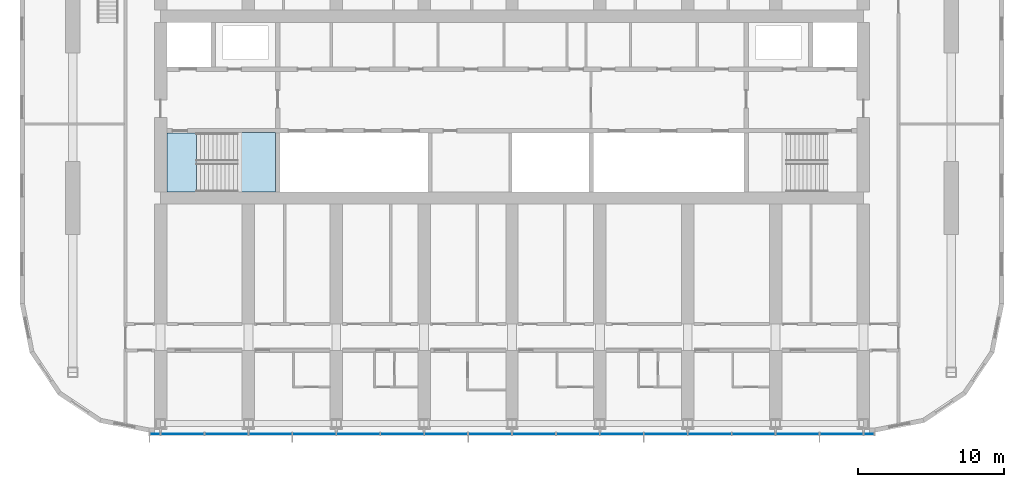
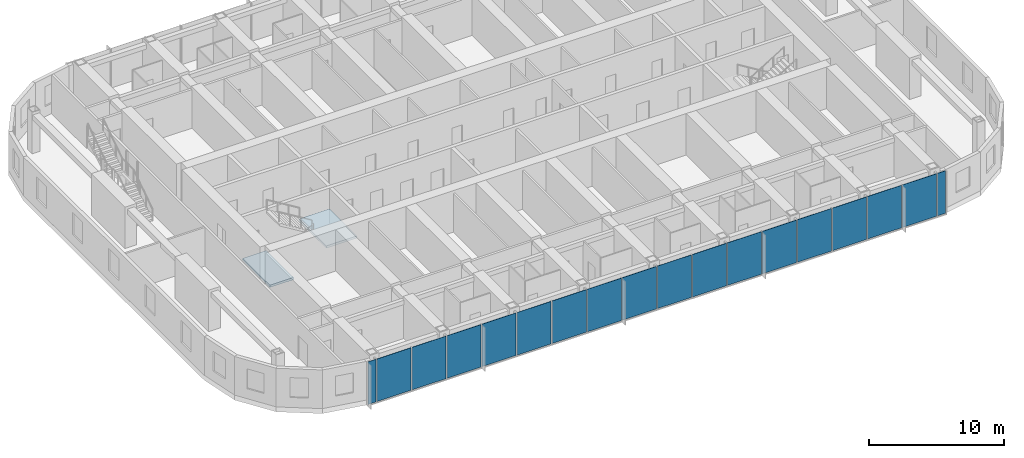
# One storey, part 11 of 29: 18 plates, 2 slabs, 2 elements without a shape of their own.
"""IFC4 building model written with IfcOpenShell, lengths in metres."""

from ifc_helpers import new_model, si_unit, direction, frame, origin, origin_2d, place, context, subcontext, project, spatial, polyline, rectangle, outline, extrude, material, layer, layer_set, type_object, element, aggregate, save


model = new_model("IFC4")

# Units and contexts
model_context = context("Model", 3, precision=1e-05, world=origin(), true_north=direction((0.0, 1.0)))
body_context = subcontext(model_context, "Body", "Model", "MODEL_VIEW")
ifc_project = project(units=[si_unit("LENGTHUNIT", "METRE"), si_unit("AREAUNIT", "SQUARE_METRE"), si_unit("VOLUMEUNIT", "CUBIC_METRE"), si_unit("PLANEANGLEUNIT", "RADIAN"), si_unit("MASSUNIT", "GRAM", prefix="KILO")], contexts=[model_context])

# Site, building, storey
site_placement = place(None, origin())
site = spatial("IfcSite", under=ifc_project, at=site_placement, CompositionType="ELEMENT")
building_placement = place(site_placement, origin())
building = spatial("IfcBuilding", under=site, at=building_placement, Name="Orbita Commons", CompositionType="ELEMENT")
storey_placement = place(building_placement, frame((0.0, 0.0, 148.60009765625)))
storey = spatial("IfcBuildingStorey", under=building, at=storey_placement, Name="L36", CompositionType="ELEMENT", Elevation=148.60009765625)

# Curtain wall, plates
ifc_material_1 = material(Name="Anodised aluminium frame, pale silver", Category="aluminium")
curtain_wall_type = type_object("IfcCurtainWallType", Name="Unitised curtain wall CW-U, full-height vision", PredefinedType="NOTDEFINED", material=ifc_material_1)
curtain_wall_placement = place(storey_placement, origin())
curtain_wall = element("IfcCurtainWall", 1, at=curtain_wall_placement, inside=storey, type_object=curtain_wall_type, Name="Curtain wall south L36", PredefinedType="NOTDEFINED")
ifc_material_2 = material(Name="Clear double glazing", Category="glass")
ifc_layer_1 = layer(ifc_material_2, 0.031982421875)
ifc_layer_set_1 = layer_set([ifc_layer_1], Name="Clear double glazing")
plate_type = type_object("IfcPlateType", Name="Full-height vision panel, clear glazing 32", PredefinedType="CURTAIN_PANEL", material=ifc_layer_set_1)
plate_1_placement = place(storey_placement, frame((17.6201171875, 9.68994140625, -0.35009765625), z_axis=(0.0, 0.0, 1.0), x_axis=(1.0, 0.0, 0.0)))
plate_1 = element("IfcPlate", 2, at=plate_1_placement, type_object=plate_type, Name="Panel 1.1 CW-L36-S", PredefinedType="CURTAIN_PANEL", context=body_context, shape_type="SweptSolid", body=[
    extrude(rectangle(XDim=0.679931640625, YDim=0.031982421875, at=origin_2d()), origin(), (0.0, 0.0, 1.0), 3.85009765625),
])
plate_2_placement = place(storey_placement, frame((19.5, 9.68994140625, -0.35009765625), z_axis=(0.0, 0.0, 1.0), x_axis=(1.0, 0.0, 0.0)))
plate_2 = element("IfcPlate", 3, at=plate_2_placement, type_object=plate_type, Name="Panel 2.1 CW-L36-S", PredefinedType="CURTAIN_PANEL", context=body_context, shape_type="SweptSolid", body=[
    extrude(rectangle(XDim=2.919921875, YDim=0.031982421875, at=origin_2d()), origin(), (0.0, 0.0, 1.0), 3.85009765625),
])
plate_3_placement = place(storey_placement, frame((22.5, 9.68994140625, -0.35009765625), z_axis=(0.0, 0.0, 1.0), x_axis=(1.0, 0.0, 0.0)))
plate_3 = element("IfcPlate", 4, at=plate_3_placement, type_object=plate_type, Name="Panel 3.1 CW-L36-S", PredefinedType="CURTAIN_PANEL", context=body_context, shape_type="SweptSolid", body=[
    extrude(rectangle(XDim=2.919921875, YDim=0.031982421875, at=origin_2d()), origin(), (0.0, 0.0, 1.0), 3.85009765625),
])
plate_4_placement = place(storey_placement, frame((25.5, 9.68994140625, -0.35009765625), z_axis=(0.0, 0.0, 1.0), x_axis=(1.0, 0.0, 0.0)))
plate_4 = element("IfcPlate", 5, at=plate_4_placement, type_object=plate_type, Name="Panel 4.1 CW-L36-S", PredefinedType="CURTAIN_PANEL", context=body_context, shape_type="SweptSolid", body=[
    extrude(rectangle(XDim=2.919921875, YDim=0.031982421875, at=origin_2d()), origin(), (0.0, 0.0, 1.0), 3.85009765625),
])
plate_5_placement = place(storey_placement, frame((28.5, 9.68994140625, -0.35009765625), z_axis=(0.0, 0.0, 1.0), x_axis=(1.0, 0.0, 0.0)))
plate_5 = element("IfcPlate", 6, at=plate_5_placement, type_object=plate_type, Name="Panel 5.1 CW-L36-S", PredefinedType="CURTAIN_PANEL", context=body_context, shape_type="SweptSolid", body=[
    extrude(rectangle(XDim=2.919921875, YDim=0.031982421875, at=origin_2d()), origin(), (0.0, 0.0, 1.0), 3.85009765625),
])
plate_6_placement = place(storey_placement, frame((31.5, 9.68994140625, -0.35009765625), z_axis=(0.0, 0.0, 1.0), x_axis=(1.0, 0.0, 0.0)))
plate_6 = element("IfcPlate", 7, at=plate_6_placement, type_object=plate_type, Name="Panel 6.1 CW-L36-S", PredefinedType="CURTAIN_PANEL", context=body_context, shape_type="SweptSolid", body=[
    extrude(rectangle(XDim=2.919921875, YDim=0.031982421875, at=origin_2d()), origin(), (0.0, 0.0, 1.0), 3.85009765625),
])
plate_7_placement = place(storey_placement, frame((34.5, 9.68994140625, -0.35009765625), z_axis=(0.0, 0.0, 1.0), x_axis=(1.0, 0.0, 0.0)))
plate_7 = element("IfcPlate", 8, at=plate_7_placement, type_object=plate_type, Name="Panel 7.1 CW-L36-S", PredefinedType="CURTAIN_PANEL", context=body_context, shape_type="SweptSolid", body=[
    extrude(rectangle(XDim=2.919921875, YDim=0.031982421875, at=origin_2d()), origin(), (0.0, 0.0, 1.0), 3.85009765625),
])
plate_8_placement = place(storey_placement, frame((37.5, 9.68994140625, -0.35009765625), z_axis=(0.0, 0.0, 1.0), x_axis=(1.0, 0.0, 0.0)))
plate_8 = element("IfcPlate", 9, at=plate_8_placement, type_object=plate_type, Name="Panel 8.1 CW-L36-S", PredefinedType="CURTAIN_PANEL", context=body_context, shape_type="SweptSolid", body=[
    extrude(rectangle(XDim=2.919921875, YDim=0.031982421875, at=origin_2d()), origin(), (0.0, 0.0, 1.0), 3.85009765625),
])
plate_9_placement = place(storey_placement, frame((40.5, 9.68994140625, -0.35009765625), z_axis=(0.0, 0.0, 1.0), x_axis=(1.0, 0.0, 0.0)))
plate_9 = element("IfcPlate", 10, at=plate_9_placement, type_object=plate_type, Name="Panel 9.1 CW-L36-S", PredefinedType="CURTAIN_PANEL", context=body_context, shape_type="SweptSolid", body=[
    extrude(rectangle(XDim=2.919921875, YDim=0.031982421875, at=origin_2d()), origin(), (0.0, 0.0, 1.0), 3.85009765625),
])
plate_10_placement = place(storey_placement, frame((43.5, 9.68994140625, -0.35009765625), z_axis=(0.0, 0.0, 1.0), x_axis=(1.0, 0.0, 0.0)))
plate_10 = element("IfcPlate", 11, at=plate_10_placement, type_object=plate_type, Name="Panel 10.1 CW-L36-S", PredefinedType="CURTAIN_PANEL", context=body_context, shape_type="SweptSolid", body=[
    extrude(rectangle(XDim=2.919921875, YDim=0.031982421875, at=origin_2d()), origin(), (0.0, 0.0, 1.0), 3.85009765625),
])
plate_11_placement = place(storey_placement, frame((46.5, 9.68994140625, -0.35009765625), z_axis=(0.0, 0.0, 1.0), x_axis=(1.0, 0.0, 0.0)))
plate_11 = element("IfcPlate", 12, at=plate_11_placement, type_object=plate_type, Name="Panel 11.1 CW-L36-S", PredefinedType="CURTAIN_PANEL", context=body_context, shape_type="SweptSolid", body=[
    extrude(rectangle(XDim=2.919921875, YDim=0.031982421875, at=origin_2d()), origin(), (0.0, 0.0, 1.0), 3.85009765625),
])
plate_12_placement = place(storey_placement, frame((49.5, 9.68994140625, -0.35009765625), z_axis=(0.0, 0.0, 1.0), x_axis=(1.0, 0.0, 0.0)))
plate_12 = element("IfcPlate", 13, at=plate_12_placement, type_object=plate_type, Name="Panel 12.1 CW-L36-S", PredefinedType="CURTAIN_PANEL", context=body_context, shape_type="SweptSolid", body=[
    extrude(rectangle(XDim=2.919921875, YDim=0.031982421875, at=origin_2d()), origin(), (0.0, 0.0, 1.0), 3.85009765625),
])
plate_13_placement = place(storey_placement, frame((52.5, 9.68994140625, -0.35009765625), z_axis=(0.0, 0.0, 1.0), x_axis=(1.0, 0.0, 0.0)))
plate_13 = element("IfcPlate", 14, at=plate_13_placement, type_object=plate_type, Name="Panel 13.1 CW-L36-S", PredefinedType="CURTAIN_PANEL", context=body_context, shape_type="SweptSolid", body=[
    extrude(rectangle(XDim=2.919921875, YDim=0.031982421875, at=origin_2d()), origin(), (0.0, 0.0, 1.0), 3.85009765625),
])
plate_14_placement = place(storey_placement, frame((55.5, 9.68994140625, -0.35009765625), z_axis=(0.0, 0.0, 1.0), x_axis=(1.0, 0.0, 0.0)))
plate_14 = element("IfcPlate", 15, at=plate_14_placement, type_object=plate_type, Name="Panel 14.1 CW-L36-S", PredefinedType="CURTAIN_PANEL", context=body_context, shape_type="SweptSolid", body=[
    extrude(rectangle(XDim=2.919921875, YDim=0.031982421875, at=origin_2d()), origin(), (0.0, 0.0, 1.0), 3.85009765625),
])
plate_15_placement = place(storey_placement, frame((58.5, 9.68994140625, -0.35009765625), z_axis=(0.0, 0.0, 1.0), x_axis=(1.0, 0.0, 0.0)))
plate_15 = element("IfcPlate", 16, at=plate_15_placement, type_object=plate_type, Name="Panel 15.1 CW-L36-S", PredefinedType="CURTAIN_PANEL", context=body_context, shape_type="SweptSolid", body=[
    extrude(rectangle(XDim=2.919921875, YDim=0.031982421875, at=origin_2d()), origin(), (0.0, 0.0, 1.0), 3.85009765625),
])
plate_16_placement = place(storey_placement, frame((61.5, 9.68994140625, -0.35009765625), z_axis=(0.0, 0.0, 1.0), x_axis=(1.0, 0.0, 0.0)))
plate_16 = element("IfcPlate", 17, at=plate_16_placement, type_object=plate_type, Name="Panel 16.1 CW-L36-S", PredefinedType="CURTAIN_PANEL", context=body_context, shape_type="SweptSolid", body=[
    extrude(rectangle(XDim=2.919921875, YDim=0.031982421875, at=origin_2d()), origin(), (0.0, 0.0, 1.0), 3.85009765625),
])
plate_17_placement = place(storey_placement, frame((64.5, 9.68994140625, -0.35009765625), z_axis=(0.0, 0.0, 1.0), x_axis=(1.0, 0.0, 0.0)))
plate_17 = element("IfcPlate", 18, at=plate_17_placement, type_object=plate_type, Name="Panel 17.1 CW-L36-S", PredefinedType="CURTAIN_PANEL", context=body_context, shape_type="SweptSolid", body=[
    extrude(rectangle(XDim=2.919921875, YDim=0.031982421875, at=origin_2d()), origin(), (0.0, 0.0, 1.0), 3.85009765625),
])
plate_18_placement = place(storey_placement, frame((66.3798828125, 9.68994140625, -0.35009765625), z_axis=(0.0, 0.0, 1.0), x_axis=(1.0, 0.0, 0.0)))
plate_18 = element("IfcPlate", 19, at=plate_18_placement, type_object=plate_type, Name="Panel 18.1 CW-L36-S", PredefinedType="CURTAIN_PANEL", context=body_context, shape_type="SweptSolid", body=[
    extrude(rectangle(XDim=0.679931640625, YDim=0.031982421875, at=origin_2d()), origin(), (0.0, 0.0, 1.0), 3.85009765625),
])
aggregate(curtain_wall, [plate_1, plate_2, plate_3, plate_4, plate_5, plate_6, plate_7, plate_8, plate_9, plate_10, plate_11, plate_12, plate_13, plate_14, plate_15, plate_16, plate_17, plate_18])

# Stair, slabs
ifc_material_3 = material(Name="Precast concrete C40/50", Category="concrete")
stair_type = type_object("IfcStairType", Name="Exit stair S1 2 flights 11 risers 170", PredefinedType="HALF_TURN_STAIR", material=ifc_material_3)
stair_placement = place(storey_placement, origin())
stair = element("IfcStair", 20, at=stair_placement, inside=storey, type_object=stair_type, Name="Exit stair S1 L36", PredefinedType="HALF_TURN_STAIR")
ifc_material_4 = material(Name="Concrete C40/50", Category="concrete")
ifc_layer_2 = layer(ifc_material_4, 0.199951171875)
ifc_layer_set_2 = layer_set([ifc_layer_2], Name="Concrete C40/50")
slab_type = type_object("IfcSlabType", Name="Stair landing 200", PredefinedType="LANDING", material=ifc_layer_set_2)
slab_1_placement = place(storey_placement, frame((0.0, 0.0, -0.2001953125)))
slab_1 = element("IfcSlab", 21, at=slab_1_placement, type_object=slab_type, Name="S1 landing 1", PredefinedType="LANDING", context=body_context, shape_type="SweptSolid", body=[
    extrude(outline(polyline([(18.425048828125, 26.22509765625), (20.449951171875, 26.22509765625), (20.449951171875, 30.25), (18.425048828125, 30.25), (18.425048828125, 26.22509765625)])), origin(), (0.0, 0.0, 1.0), 0.2001953125),
])
slab_2_placement = place(storey_placement, frame((0.0, 0.0, 1.6748046875)))
slab_2 = element("IfcSlab", 22, at=slab_2_placement, type_object=slab_type, Name="S1 landing 2", PredefinedType="LANDING", context=body_context, shape_type="SweptSolid", body=[
    extrude(outline(polyline([(23.25, 26.2099609375), (25.864990234375, 26.2099609375), (25.864990234375, 30.264892578125), (23.25, 30.264892578125), (23.25, 26.2099609375)])), origin(), (0.0, 0.0, 1.0), 0.2001953125),
])
aggregate(stair, [slab_1, slab_2])

save(model, "model.ifc")
